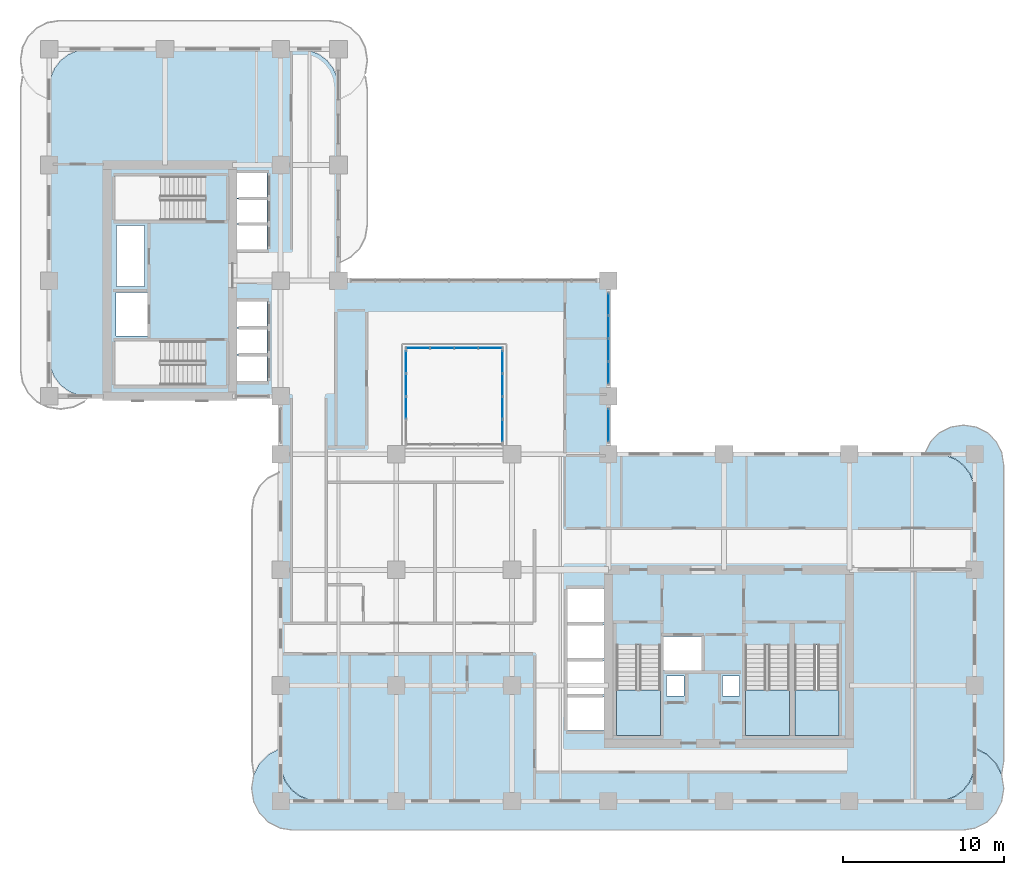
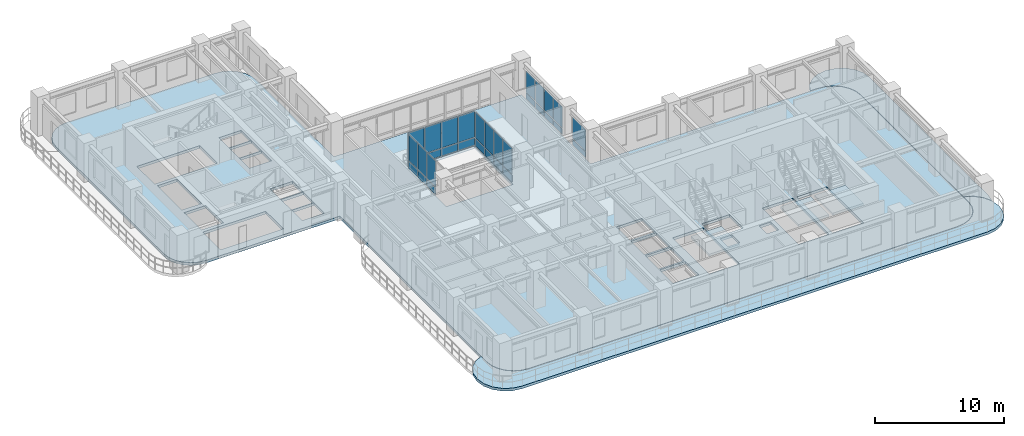
# One storey, part 7 of 19: 32 plates, 6 slabs, 8 elements without a shape of their own.
"""IFC4 building model written with IfcOpenShell, lengths in metres."""

from ifc_helpers import new_model, si_unit, derived_unit, direction, frame, origin, origin_2d, place, context, subcontext, project, spatial, polyline, rectangle, outline, extrude, source, transform, mapped, material, layer, layer_set, type_object, element, aggregate, save


model = new_model("IFC4")

# Units and contexts
model_context = context("Model", 3, precision=1e-05, world=origin(), true_north=direction((0.0, 1.0)))
body_context = subcontext(model_context, "Body", "Model", "MODEL_VIEW")
ifc_project = project(units=[si_unit("LENGTHUNIT", "METRE"), si_unit("AREAUNIT", "SQUARE_METRE"), si_unit("VOLUMEUNIT", "CUBIC_METRE"), si_unit("PLANEANGLEUNIT", "RADIAN"), si_unit("MASSUNIT", "GRAM", prefix="KILO"), si_unit("THERMODYNAMICTEMPERATUREUNIT", "KELVIN"), si_unit("POWERUNIT", "WATT"), derived_unit("THERMALTRANSMITTANCEUNIT", [(si_unit("POWERUNIT", "WATT"), 1), (si_unit("AREAUNIT", "SQUARE_METRE"), -1), (si_unit("THERMODYNAMICTEMPERATUREUNIT", "KELVIN"), -1)])], contexts=[model_context])

# Site, building, storey
site_placement = place(None, origin())
site = spatial("IfcSite", under=ifc_project, at=site_placement, CompositionType="ELEMENT")
building_placement = place(site_placement, origin())
building = spatial("IfcBuilding", under=site, at=building_placement, Name="Zahravan Archway Hotel and Residences", CompositionType="ELEMENT")
storey_placement = place(building_placement, frame((0.0, 0.0, 102.699951171875)))
storey = spatial("IfcBuildingStorey", under=building, at=storey_placement, Name="L25", CompositionType="ELEMENT", Elevation=102.699951171875)

# Slabs
ifc_material_1 = material(Name="Concrete C45/55", Category="concrete")
ifc_layer_1 = layer(ifc_material_1, 0.25, Name="Concrete C45/55", Category="concrete")
ifc_layer_set_1 = layer_set([ifc_layer_1], Name="Concrete C45/55")
slab_type_1 = type_object("IfcSlabType", Name="SLB-BALC-250", PredefinedType="FLOOR", material=ifc_layer_set_1)
slab_1_placement = place(storey_placement, frame((0.0, 0.0, -0.25)))
element("IfcSlab", 1, at=slab_1_placement, inside=storey, type_object=slab_type_1, Name="L25 Wing A South Rounded Balcony Band", PredefinedType="FLOOR", context=body_context, shape_type="SweptSolid", body=[
    extrude(outline(polyline([(57.637939453125, 3.275146484375), (58.348876953125, 2.9130859375), (58.9130859375, 2.348876953125), (59.275146484375, 1.637939453125), (59.39990234375, 0.85009765625), (59.39990234375, 0.75), (59.275146484375, -0.0380859375), (58.9130859375, -0.748779296875), (58.348876953125, -1.31298828125), (57.637939453125, -1.67529296875), (56.85009765625, -1.800048828125), (15.14990234375, -1.800048828125), (14.362060546875, -1.67529296875), (13.651123046875, -1.31298828125), (13.0869140625, -0.748779296875), (12.724853515625, -0.0380859375), (12.60009765625, 0.75), (12.60009765625, 0.85009765625), (12.724853515625, 1.637939453125), (13.0869140625, 2.348876953125), (13.651123046875, 2.9130859375), (14.362060546875, 3.275146484375), (14.3798828125, 3.278076171875), (14.3798828125, 2.39990234375), (14.380126953125, 2.3974609375), (14.4619140625, 1.776123046875), (14.46240234375, 1.7744140625), (14.462646484375, 1.772705078125), (14.46337890625, 1.77099609375), (14.702880859375, 1.1923828125), (14.703857421875, 1.19091796875), (14.70458984375, 1.189208984375), (14.70556640625, 1.187744140625), (15.0869140625, 0.690673828125), (15.088134765625, 0.689453125), (15.08935546875, 0.688232421875), (15.0908203125, 0.68701171875), (15.587890625, 0.3056640625), (15.58935546875, 0.3046875), (15.5908203125, 0.3037109375), (15.59228515625, 0.302978515625), (16.171142578125, 0.063232421875), (16.1728515625, 0.062744140625), (16.174560546875, 0.062255859375), (16.17626953125, 0.06201171875), (16.79736328125, -0.019775390625), (16.800048828125, -0.02001953125), (55.199951171875, -0.02001953125), (55.20263671875, -0.019775390625), (55.82373046875, 0.06201171875), (55.825439453125, 0.062255859375), (55.8271484375, 0.062744140625), (55.828857421875, 0.063232421875), (56.40771484375, 0.302978515625), (56.4091796875, 0.3037109375), (56.41064453125, 0.3046875), (56.412109375, 0.3056640625), (56.9091796875, 0.68701171875), (56.91064453125, 0.688232421875), (56.911865234375, 0.689453125), (56.9130859375, 0.690673828125), (57.29443359375, 1.187744140625), (57.29541015625, 1.189208984375), (57.296142578125, 1.19091796875), (57.297119140625, 1.1923828125), (57.53662109375, 1.77099609375), (57.537353515625, 1.772705078125), (57.53759765625, 1.7744140625), (57.5380859375, 1.776123046875), (57.619873046875, 2.3974609375), (57.6201171875, 2.39990234375), (57.6201171875, 3.278076171875), (57.637939453125, 3.275146484375)])), origin(), (0.0, 0.0, 1.0), 0.25),
])
slab_2_placement = place(storey_placement, frame((0.0, 0.0, -0.25)))
element("IfcSlab", 2, at=slab_2_placement, inside=storey, type_object=slab_type_1, Name="L25 Wing A East Rounded Balcony Band", PredefinedType="FLOOR", context=body_context, shape_type="SweptSolid", body=[
    extrude(outline(polyline([(54.52001953125, 21.70703125), (54.867919921875, 22.39013671875), (55.409912109375, 22.93212890625), (56.093017578125, 23.280029296875), (56.85009765625, 23.39990234375), (56.949951171875, 23.39990234375), (57.70703125, 23.280029296875), (58.39013671875, 22.93212890625), (58.93212890625, 22.39013671875), (59.280029296875, 21.70703125), (59.39990234375, 20.949951171875), (59.39990234375, 2.449951171875), (59.280029296875, 1.69287109375), (59.27490234375, 1.6826171875), (58.930908203125, 2.35791015625), (58.9296875, 2.35986328125), (58.928466796875, 2.361572265625), (58.927001953125, 2.363037109375), (58.363037109375, 2.927001953125), (58.361572265625, 2.928466796875), (58.35986328125, 2.9296875), (58.35791015625, 2.930908203125), (57.647216796875, 3.29296875), (57.645263671875, 3.2939453125), (57.643310546875, 3.29443359375), (57.64111328125, 3.294921875), (57.623046875, 3.2978515625), (57.62109375, 3.298095703125), (57.6201171875, 3.298095703125), (57.6201171875, 19.199951171875), (57.619873046875, 19.20263671875), (57.5380859375, 19.82373046875), (57.53759765625, 19.825439453125), (57.537353515625, 19.8271484375), (57.53662109375, 19.828857421875), (57.297119140625, 20.40771484375), (57.296142578125, 20.4091796875), (57.29541015625, 20.41064453125), (57.29443359375, 20.412109375), (56.9130859375, 20.9091796875), (56.911865234375, 20.91064453125), (56.91064453125, 20.911865234375), (56.9091796875, 20.9130859375), (56.412109375, 21.29443359375), (56.41064453125, 21.29541015625), (56.4091796875, 21.296142578125), (56.40771484375, 21.297119140625), (55.828857421875, 21.53662109375), (55.8271484375, 21.537353515625), (55.825439453125, 21.53759765625), (55.82373046875, 21.5380859375), (55.20263671875, 21.619873046875), (55.199951171875, 21.6201171875), (54.506103515625, 21.6201171875), (54.52001953125, 21.70703125)])), origin(), (0.0, 0.0, 1.0), 0.25),
])
ifc_layer_2 = layer(ifc_material_1, 0.25, Name="Concrete C45/55", Category="concrete")
ifc_layer_set_2 = layer_set([ifc_layer_2], Name="Concrete C45/55")
slab_type_2 = type_object("IfcSlabType", Name="SLB-FLR-250", PredefinedType="FLOOR", material=ifc_layer_set_2)
slab_3_placement = place(storey_placement, frame((0.0, 0.0, -0.25)))
element("IfcSlab", 3, at=slab_3_placement, inside=storey, type_object=slab_type_2, Name="L25 Floor Slab LB", PredefinedType="FLOOR", context=body_context, shape_type="SweptSolid", body=[
    extrude(outline(polyline([(34.800048828125, 21.60009765625), (34.800048828125, 32.39990234375), (18.0, 32.39990234375), (18.0, 44.39990234375), (17.918212890625, 45.021240234375), (17.678466796875, 45.60009765625), (17.297119140625, 46.09716796875), (16.800048828125, 46.478515625), (16.22119140625, 46.71826171875), (15.60009765625, 46.800048828125), (2.39990234375, 46.800048828125), (1.77880859375, 46.71826171875), (1.199951171875, 46.478515625), (0.702880859375, 46.09716796875), (0.321533203125, 45.60009765625), (0.081787109375, 45.021240234375), (0.0, 44.39990234375), (0.0, 27.60009765625), (0.081787109375, 26.978759765625), (0.321533203125, 26.39990234375), (0.702880859375, 25.90283203125), (1.199951171875, 25.521484375), (1.77880859375, 25.28173828125), (2.39990234375, 25.199951171875), (14.39990234375, 25.199951171875), (14.39990234375, 19.199951171875), (14.39990234375, 19.10009765625), (14.39990234375, 2.39990234375), (14.481689453125, 1.77880859375), (14.721435546875, 1.199951171875), (15.102783203125, 0.702880859375), (15.60009765625, 0.321533203125), (16.1787109375, 0.081787109375), (16.800048828125, 0.0), (55.199951171875, 0.0), (55.8212890625, 0.081787109375), (56.39990234375, 0.321533203125), (56.897216796875, 0.702880859375), (57.278564453125, 1.199951171875), (57.518310546875, 1.77880859375), (57.60009765625, 2.39990234375), (57.60009765625, 19.199951171875), (57.518310546875, 19.8212890625), (57.278564453125, 20.39990234375), (56.897216796875, 20.897216796875), (56.39990234375, 21.278564453125), (55.8212890625, 21.518310546875), (55.199951171875, 21.60009765625), (34.800048828125, 21.60009765625)]), holes=[polyline([(35.300048828125, 9.72998046875), (35.300048828125, 4.10009765625), (38.0400390625, 4.10009765625), (38.0400390625, 9.72998046875), (35.300048828125, 9.72998046875)]), polyline([(43.320068359375, 9.72998046875), (43.320068359375, 4.10009765625), (46.06005859375, 4.10009765625), (46.06005859375, 9.72998046875), (43.320068359375, 9.72998046875)]), polyline([(46.39990234375, 9.72998046875), (46.39990234375, 4.10009765625), (49.139892578125, 4.10009765625), (49.139892578125, 9.72998046875), (46.39990234375, 9.72998046875)]), polyline([(9.72998046875, 28.639892578125), (4.10009765625, 28.639892578125), (4.10009765625, 25.89990234375), (9.72998046875, 25.89990234375), (9.72998046875, 28.639892578125)]), polyline([(9.72998046875, 38.89990234375), (4.10009765625, 38.89990234375), (4.10009765625, 36.159912109375), (9.72998046875, 36.159912109375), (9.72998046875, 38.89990234375)]), polyline([(38.179931640625, 8.14990234375), (40.699951171875, 8.14990234375), (40.699951171875, 10.25), (38.179931640625, 10.25), (38.179931640625, 8.14990234375)]), polyline([(4.14990234375, 28.949951171875), (6.10009765625, 28.949951171875), (6.10009765625, 31.64990234375), (4.14990234375, 31.64990234375), (4.14990234375, 28.949951171875)]), polyline([(11.550048828125, 26.14990234375), (13.550048828125, 26.14990234375), (13.550048828125, 27.75), (11.550048828125, 27.75), (11.550048828125, 26.14990234375)]), polyline([(11.550048828125, 27.830078125), (13.550048828125, 27.830078125), (13.550048828125, 29.429931640625), (11.550048828125, 29.429931640625), (11.550048828125, 27.830078125)]), polyline([(11.550048828125, 29.510009765625), (13.550048828125, 29.510009765625), (13.550048828125, 31.110107421875), (11.550048828125, 31.110107421875), (11.550048828125, 29.510009765625)]), polyline([(11.550048828125, 34.35009765625), (13.550048828125, 34.35009765625), (13.550048828125, 35.889892578125), (11.550048828125, 35.889892578125), (11.550048828125, 34.35009765625)]), polyline([(11.550048828125, 35.949951171875), (13.550048828125, 35.949951171875), (13.550048828125, 37.489990234375), (11.550048828125, 37.489990234375), (11.550048828125, 35.949951171875)]), polyline([(11.550048828125, 37.550048828125), (13.550048828125, 37.550048828125), (13.550048828125, 39.090087890625), (11.550048828125, 39.090087890625), (11.550048828125, 37.550048828125)]), polyline([(32.25, 4.39990234375), (34.550048828125, 4.39990234375), (34.550048828125, 6.47998046875), (32.25, 6.47998046875), (32.25, 4.39990234375)]), polyline([(32.25, 6.639892578125), (34.550048828125, 6.639892578125), (34.550048828125, 8.719970703125), (32.25, 8.719970703125), (32.25, 6.639892578125)]), polyline([(32.25, 8.8798828125), (34.550048828125, 8.8798828125), (34.550048828125, 10.9599609375), (32.25, 10.9599609375), (32.25, 8.8798828125)]), polyline([(32.25, 11.1201171875), (34.550048828125, 11.1201171875), (34.550048828125, 13.199951171875), (32.25, 13.199951171875), (32.25, 11.1201171875)]), polyline([(22.199951171875, 22.199951171875), (28.199951171875, 22.199951171875), (28.199951171875, 28.199951171875), (22.199951171875, 28.199951171875), (22.199951171875, 22.199951171875)]), polyline([(38.419921875, 6.56005859375), (39.5, 6.56005859375), (39.5, 7.780029296875), (38.419921875, 7.780029296875), (38.419921875, 6.56005859375)]), polyline([(41.89990234375, 6.56005859375), (42.9599609375, 6.56005859375), (42.9599609375, 7.780029296875), (41.89990234375, 7.780029296875), (41.89990234375, 6.56005859375)]), polyline([(4.179931640625, 32.050048828125), (5.93994140625, 32.050048828125), (5.93994140625, 35.840087890625), (4.179931640625, 35.840087890625), (4.179931640625, 32.050048828125)])]), origin(), (0.0, 0.0, 1.0), 0.25),
])

# Stair, slab
ifc_material_2 = material(Name="Concrete C50/60", Category="concrete")
stair_type = type_object("IfcStairType", Name="STR-CORE-1300", PredefinedType="HALF_TURN_STAIR", material=ifc_material_2)
stair_1_placement = place(storey_placement, origin())
stair_1 = element("IfcStair", 4, at=stair_1_placement, inside=storey, type_object=stair_type, Name="L25 Core A Exit Stair 1", PredefinedType="HALF_TURN_STAIR")
ifc_layer_3 = layer(ifc_material_2, 0.199951171875, Name="Concrete C50/60", Category="concrete")
ifc_layer_set_3 = layer_set([ifc_layer_3], Name="Concrete C50/60")
slab_type_3 = type_object("IfcSlabType", Name="SLB-LND-200", PredefinedType="LANDING", material=ifc_layer_set_3)
slab_4_placement = place(storey_placement, frame((0.0, 0.0, 1.650146484375)))
slab_4 = element("IfcSlab", 5, at=slab_4_placement, type_object=slab_type_3, Name="ST-A1 landing 1", PredefinedType="LANDING", context=body_context, shape_type="SweptSolid", body=[
    extrude(outline(polyline([(35.300048828125, 6.929931640625), (35.300048828125, 4.10009765625), (38.0400390625, 4.10009765625), (38.0400390625, 6.929931640625), (35.300048828125, 6.929931640625)])), origin(), (0.0, 0.0, 1.0), 0.199951171875),
])
aggregate(stair_1, [slab_4])

stair_2_placement = place(storey_placement, origin())
stair_2 = element("IfcStair", 6, at=stair_2_placement, inside=storey, type_object=stair_type, Name="L25 Core A Exit Stair 2", PredefinedType="HALF_TURN_STAIR")
slab_5_placement = place(storey_placement, frame((0.0, 0.0, 1.650146484375)))
slab_5 = element("IfcSlab", 7, at=slab_5_placement, type_object=slab_type_3, Name="ST-A2 landing 1", PredefinedType="LANDING", context=body_context, shape_type="SweptSolid", body=[
    extrude(outline(polyline([(43.320068359375, 6.929931640625), (43.320068359375, 4.10009765625), (46.06005859375, 4.10009765625), (46.06005859375, 6.929931640625), (43.320068359375, 6.929931640625)])), origin(), (0.0, 0.0, 1.0), 0.199951171875),
])
aggregate(stair_2, [slab_5])

stair_3_placement = place(storey_placement, origin())
stair_3 = element("IfcStair", 8, at=stair_3_placement, inside=storey, type_object=stair_type, Name="L25 Core A Exit Stair 3", PredefinedType="HALF_TURN_STAIR")
slab_6_placement = place(storey_placement, frame((0.0, 0.0, 1.650146484375)))
slab_6 = element("IfcSlab", 9, at=slab_6_placement, type_object=slab_type_3, Name="ST-A3 landing 1", PredefinedType="LANDING", context=body_context, shape_type="SweptSolid", body=[
    extrude(outline(polyline([(46.39990234375, 6.929931640625), (46.39990234375, 4.10009765625), (49.139892578125, 4.10009765625), (49.139892578125, 6.929931640625), (46.39990234375, 6.929931640625)])), origin(), (0.0, 0.0, 1.0), 0.199951171875),
])
aggregate(stair_3, [slab_6])

# Curtain wall, plates
ifc_material_3 = material(Name="Bronze-Anodized Unitised Aluminium & Low-E Glass", Category="aluminium")
ifc_layer_4 = layer(ifc_material_3, 0.179931640625, Name="Bronze-Anodized Unitised Aluminium & Low-E Glass", Category="aluminium")
ifc_layer_set_4 = layer_set([ifc_layer_4], Name="Bronze-Anodized Unitised Aluminium & Low-E Glass")
curtain_wall_type = type_object("IfcCurtainWallType", Name="CW-ATR-GLAZ", PredefinedType="NOTDEFINED", material=ifc_layer_set_4)
curtain_wall_1_placement = place(storey_placement, origin())
curtain_wall_1 = element("IfcCurtainWall", 10, at=curtain_wall_1_placement, inside=storey, type_object=curtain_wall_type, Name="L25 Curtain Wall CW-L25-HNG-E-1", PredefinedType="NOTDEFINED")
ifc_material_4 = material(Name="Insulated Terracotta Spandrel Panel", Category="masonry")
ifc_layer_5 = layer(ifc_material_4, 0.0400390625, Name="Insulated Terracotta Spandrel Panel", Category="masonry")
ifc_layer_set_5 = layer_set([ifc_layer_5], Name="Insulated Terracotta Spandrel Panel")
plate_type_1 = type_object("IfcPlateType", Name="CWP-SPN-40", PredefinedType="SHEET", material=ifc_layer_set_5)
shared_shape_1 = source(origin(), body_context, "Body", "SweptSolid", [
    extrude(rectangle(XDim=2.0, YDim=0.0400390625, at=origin_2d()), origin(), (0.0, 0.0, 1.0), 0.540283203125),
])
plate_1_placement = place(storey_placement, frame((34.800048828125, 23.39990234375, 0.10009765625), z_axis=(0.0, 0.0, 1.0), x_axis=(0.0, 1.0, 0.0)))
plate_1 = element("IfcPlate", 11, at=plate_1_placement, type_object=plate_type_1, Name="CW-L25-HNG-E-1 Spandrel Panel 0", PredefinedType="SHEET", context=body_context, shape_type="MappedRepresentation", body=[
    mapped(shared_shape_1, transform((0.0, 0.0, 0.0), scale=1.0)),
])
ifc_material_5 = material(Name="Double-Silver Low-E Insulated Vision Glass", Category="glass")
ifc_layer_6 = layer(ifc_material_5, 0.028076171875, Name="Double-Silver Low-E Insulated Vision Glass", Category="glass")
ifc_layer_set_6 = layer_set([ifc_layer_6], Name="Double-Silver Low-E Insulated Vision Glass")
plate_type_2 = type_object("IfcPlateType", Name="CWP-GLZ-28", PredefinedType="CURTAIN_PANEL", material=ifc_layer_set_6)
shared_shape_2 = source(origin(), body_context, "Body", "SweptSolid", [
    extrude(rectangle(XDim=2.0, YDim=0.028076171875, at=origin_2d()), origin(), (0.0, 0.0, 1.0), 2.0146484375),
])
plate_2_placement = place(storey_placement, frame((34.800048828125, 23.39990234375, 0.720458984375), z_axis=(0.0, 0.0, 1.0), x_axis=(0.0, 1.0, 0.0)))
plate_2 = element("IfcPlate", 12, at=plate_2_placement, type_object=plate_type_2, Name="CW-L25-HNG-E-1 Low-E Vision Panel 0", PredefinedType="CURTAIN_PANEL", context=body_context, shape_type="MappedRepresentation", body=[
    mapped(shared_shape_2, transform((0.0, 0.0, 0.0), scale=1.0)),
])
aggregate(curtain_wall_1, [plate_1, plate_2])

curtain_wall_2_placement = place(storey_placement, origin())
curtain_wall_2 = element("IfcCurtainWall", 13, at=curtain_wall_2_placement, inside=storey, type_object=curtain_wall_type, Name="L25 Curtain Wall CW-L25-HNG-E-2", PredefinedType="NOTDEFINED")
shared_shape_3 = source(origin(), body_context, "Body", "SweptSolid", [
    extrude(rectangle(XDim=1.340087890625, YDim=0.0400390625, at=origin_2d()), origin(), (0.0, 0.0, 1.0), 0.540283203125),
])
plate_3_placement = place(storey_placement, frame((34.800048828125, 26.669921875, 0.10009765625), z_axis=(0.0, 0.0, 1.0), x_axis=(0.0, 1.0, 0.0)))
plate_3 = element("IfcPlate", 14, at=plate_3_placement, type_object=plate_type_1, Name="CW-L25-HNG-E-2 Spandrel Panel 0", PredefinedType="SHEET", context=body_context, shape_type="MappedRepresentation", body=[
    mapped(shared_shape_3, transform((0.0, 0.0, 0.0), scale=1.0)),
])
plate_4_placement = place(storey_placement, frame((34.800048828125, 28.090087890625, 0.10009765625), z_axis=(0.0, 0.0, 1.0), x_axis=(0.0, 1.0, 0.0)))
plate_4 = element("IfcPlate", 15, at=plate_4_placement, type_object=plate_type_1, Name="CW-L25-HNG-E-2 Spandrel Panel 1", PredefinedType="SHEET", context=body_context, shape_type="MappedRepresentation", body=[
    mapped(shared_shape_3, transform((0.0, 0.0, 0.0), scale=1.0)),
])
plate_5_placement = place(storey_placement, frame((34.800048828125, 29.510009765625, 0.10009765625), z_axis=(0.0, 0.0, 1.0), x_axis=(0.0, 1.0, 0.0)))
plate_5 = element("IfcPlate", 16, at=plate_5_placement, type_object=plate_type_1, Name="CW-L25-HNG-E-2 Spandrel Panel 2", PredefinedType="SHEET", context=body_context, shape_type="MappedRepresentation", body=[
    mapped(shared_shape_3, transform((0.0, 0.0, 0.0), scale=1.0)),
])
plate_6_placement = place(storey_placement, frame((34.800048828125, 30.929931640625, 0.10009765625), z_axis=(0.0, 0.0, 1.0), x_axis=(0.0, 1.0, 0.0)))
plate_6 = element("IfcPlate", 17, at=plate_6_placement, type_object=plate_type_1, Name="CW-L25-HNG-E-2 Spandrel Panel 3", PredefinedType="SHEET", context=body_context, shape_type="MappedRepresentation", body=[
    mapped(shared_shape_3, transform((0.0, 0.0, 0.0), scale=1.0)),
])
shared_shape_4 = source(origin(), body_context, "Body", "SweptSolid", [
    extrude(rectangle(XDim=1.340087890625, YDim=0.028076171875, at=origin_2d()), origin(), (0.0, 0.0, 1.0), 2.0146484375),
])
plate_7_placement = place(storey_placement, frame((34.800048828125, 26.669921875, 0.720458984375), z_axis=(0.0, 0.0, 1.0), x_axis=(0.0, 1.0, 0.0)))
plate_7 = element("IfcPlate", 18, at=plate_7_placement, type_object=plate_type_2, Name="CW-L25-HNG-E-2 Low-E Vision Panel 0", PredefinedType="CURTAIN_PANEL", context=body_context, shape_type="MappedRepresentation", body=[
    mapped(shared_shape_4, transform((0.0, 0.0, 0.0), scale=1.0)),
])
plate_8_placement = place(storey_placement, frame((34.800048828125, 28.090087890625, 0.720458984375), z_axis=(0.0, 0.0, 1.0), x_axis=(0.0, 1.0, 0.0)))
plate_8 = element("IfcPlate", 19, at=plate_8_placement, type_object=plate_type_2, Name="CW-L25-HNG-E-2 Low-E Vision Panel 1", PredefinedType="CURTAIN_PANEL", context=body_context, shape_type="MappedRepresentation", body=[
    mapped(shared_shape_4, transform((0.0, 0.0, 0.0), scale=1.0)),
])
plate_9_placement = place(storey_placement, frame((34.800048828125, 29.510009765625, 0.720458984375), z_axis=(0.0, 0.0, 1.0), x_axis=(0.0, 1.0, 0.0)))
plate_9 = element("IfcPlate", 20, at=plate_9_placement, type_object=plate_type_2, Name="CW-L25-HNG-E-2 Low-E Vision Panel 2", PredefinedType="CURTAIN_PANEL", context=body_context, shape_type="MappedRepresentation", body=[
    mapped(shared_shape_4, transform((0.0, 0.0, 0.0), scale=1.0)),
])
plate_10_placement = place(storey_placement, frame((34.800048828125, 30.929931640625, 0.720458984375), z_axis=(0.0, 0.0, 1.0), x_axis=(0.0, 1.0, 0.0)))
plate_10 = element("IfcPlate", 21, at=plate_10_placement, type_object=plate_type_2, Name="CW-L25-HNG-E-2 Low-E Vision Panel 3", PredefinedType="CURTAIN_PANEL", context=body_context, shape_type="MappedRepresentation", body=[
    mapped(shared_shape_4, transform((0.0, 0.0, 0.0), scale=1.0)),
])
aggregate(curtain_wall_2, [plate_3, plate_7, plate_4, plate_8, plate_5, plate_9, plate_6, plate_10])

curtain_wall_3_placement = place(storey_placement, origin())
curtain_wall_3 = element("IfcCurtainWall", 22, at=curtain_wall_3_placement, inside=storey, type_object=curtain_wall_type, Name="L25 Curtain Wall CW-ATR-L25-N-1", PredefinedType="NOTDEFINED")
shared_shape_5 = source(origin(), body_context, "Body", "SweptSolid", [
    extrude(rectangle(XDim=1.419921875, YDim=0.0400390625, at=origin_2d()), origin(), (0.0, 0.0, 1.0), 0.676025390625),
])
plate_11_placement = place(storey_placement, frame((22.949951171875, 28.199951171875, 0.10009765625), z_axis=(0.0, 0.0, 1.0), x_axis=(1.0, 0.0, 0.0)))
plate_11 = element("IfcPlate", 23, at=plate_11_placement, type_object=plate_type_1, Name="CW-ATR-L25-N-1 Spandrel Panel 0", PredefinedType="SHEET", context=body_context, shape_type="MappedRepresentation", body=[
    mapped(shared_shape_5, transform((0.0, 0.0, 0.0), scale=1.0)),
])
plate_12_placement = place(storey_placement, frame((24.449951171875, 28.199951171875, 0.10009765625), z_axis=(0.0, 0.0, 1.0), x_axis=(1.0, 0.0, 0.0)))
plate_12 = element("IfcPlate", 24, at=plate_12_placement, type_object=plate_type_1, Name="CW-ATR-L25-N-1 Spandrel Panel 1", PredefinedType="SHEET", context=body_context, shape_type="MappedRepresentation", body=[
    mapped(shared_shape_5, transform((0.0, 0.0, 0.0), scale=1.0)),
])
plate_13_placement = place(storey_placement, frame((25.949951171875, 28.199951171875, 0.10009765625), z_axis=(0.0, 0.0, 1.0), x_axis=(1.0, 0.0, 0.0)))
plate_13 = element("IfcPlate", 25, at=plate_13_placement, type_object=plate_type_1, Name="CW-ATR-L25-N-1 Spandrel Panel 2", PredefinedType="SHEET", context=body_context, shape_type="MappedRepresentation", body=[
    mapped(shared_shape_5, transform((0.0, 0.0, 0.0), scale=1.0)),
])
plate_14_placement = place(storey_placement, frame((27.449951171875, 28.199951171875, 0.10009765625), z_axis=(0.0, 0.0, 1.0), x_axis=(1.0, 0.0, 0.0)))
plate_14 = element("IfcPlate", 26, at=plate_14_placement, type_object=plate_type_1, Name="CW-ATR-L25-N-1 Spandrel Panel 3", PredefinedType="SHEET", context=body_context, shape_type="MappedRepresentation", body=[
    mapped(shared_shape_5, transform((0.0, 0.0, 0.0), scale=1.0)),
])
shared_shape_6 = source(origin(), body_context, "Body", "SweptSolid", [
    extrude(rectangle(XDim=1.419921875, YDim=0.028076171875, at=origin_2d()), origin(), (0.0, 0.0, 1.0), 2.444091796875),
])
plate_15_placement = place(storey_placement, frame((22.949951171875, 28.199951171875, 0.85595703125), z_axis=(0.0, 0.0, 1.0), x_axis=(1.0, 0.0, 0.0)))
plate_15 = element("IfcPlate", 27, at=plate_15_placement, type_object=plate_type_2, Name="CW-ATR-L25-N-1 Low-E Vision Panel 0", PredefinedType="CURTAIN_PANEL", context=body_context, shape_type="MappedRepresentation", body=[
    mapped(shared_shape_6, transform((0.0, 0.0, 0.0), scale=1.0)),
])
plate_16_placement = place(storey_placement, frame((24.449951171875, 28.199951171875, 0.85595703125), z_axis=(0.0, 0.0, 1.0), x_axis=(1.0, 0.0, 0.0)))
plate_16 = element("IfcPlate", 28, at=plate_16_placement, type_object=plate_type_2, Name="CW-ATR-L25-N-1 Low-E Vision Panel 1", PredefinedType="CURTAIN_PANEL", context=body_context, shape_type="MappedRepresentation", body=[
    mapped(shared_shape_6, transform((0.0, 0.0, 0.0), scale=1.0)),
])
plate_17_placement = place(storey_placement, frame((25.949951171875, 28.199951171875, 0.85595703125), z_axis=(0.0, 0.0, 1.0), x_axis=(1.0, 0.0, 0.0)))
plate_17 = element("IfcPlate", 29, at=plate_17_placement, type_object=plate_type_2, Name="CW-ATR-L25-N-1 Low-E Vision Panel 2", PredefinedType="CURTAIN_PANEL", context=body_context, shape_type="MappedRepresentation", body=[
    mapped(shared_shape_6, transform((0.0, 0.0, 0.0), scale=1.0)),
])
plate_18_placement = place(storey_placement, frame((27.449951171875, 28.199951171875, 0.85595703125), z_axis=(0.0, 0.0, 1.0), x_axis=(1.0, 0.0, 0.0)))
plate_18 = element("IfcPlate", 30, at=plate_18_placement, type_object=plate_type_2, Name="CW-ATR-L25-N-1 Low-E Vision Panel 3", PredefinedType="CURTAIN_PANEL", context=body_context, shape_type="MappedRepresentation", body=[
    mapped(shared_shape_6, transform((0.0, 0.0, 0.0), scale=1.0)),
])
aggregate(curtain_wall_3, [plate_11, plate_15, plate_12, plate_16, plate_13, plate_17, plate_14, plate_18])

curtain_wall_4_placement = place(storey_placement, origin())
curtain_wall_4 = element("IfcCurtainWall", 31, at=curtain_wall_4_placement, inside=storey, type_object=curtain_wall_type, Name="L25 Curtain Wall CW-ATR-L25-W-1", PredefinedType="NOTDEFINED")
shared_shape_7 = source(origin(), body_context, "Body", "SweptSolid", [
    extrude(rectangle(XDim=1.344970703125, YDim=0.0400390625, at=origin_2d()), origin(), (0.0, 0.0, 1.0), 0.676025390625),
])
plate_19_placement = place(storey_placement, frame((22.199951171875, 24.487548828125, 0.10009765625), z_axis=(0.0, 0.0, 1.0), x_axis=(0.0, 1.0, 0.0)))
plate_19 = element("IfcPlate", 32, at=plate_19_placement, type_object=plate_type_1, Name="CW-ATR-L25-W-1 Spandrel Panel 1", PredefinedType="SHEET", context=body_context, shape_type="MappedRepresentation", body=[
    mapped(shared_shape_7, transform((0.0, 0.0, 0.0), scale=1.0)),
])
plate_20_placement = place(storey_placement, frame((22.199951171875, 25.91259765625, 0.10009765625), z_axis=(0.0, 0.0, 1.0), x_axis=(0.0, 1.0, 0.0)))
plate_20 = element("IfcPlate", 33, at=plate_20_placement, type_object=plate_type_1, Name="CW-ATR-L25-W-1 Spandrel Panel 2", PredefinedType="SHEET", context=body_context, shape_type="MappedRepresentation", body=[
    mapped(shared_shape_7, transform((0.0, 0.0, 0.0), scale=1.0)),
])
plate_21_placement = place(storey_placement, frame((22.199951171875, 27.33740234375, 0.10009765625), z_axis=(0.0, 0.0, 1.0), x_axis=(0.0, 1.0, 0.0)))
plate_21 = element("IfcPlate", 34, at=plate_21_placement, type_object=plate_type_1, Name="CW-ATR-L25-W-1 Spandrel Panel 3", PredefinedType="SHEET", context=body_context, shape_type="MappedRepresentation", body=[
    mapped(shared_shape_7, transform((0.0, 0.0, 0.0), scale=1.0)),
])

curtain_wall_5_placement = place(storey_placement, origin())
curtain_wall_5 = element("IfcCurtainWall", 35, at=curtain_wall_5_placement, inside=storey, type_object=curtain_wall_type, Name="L25 Curtain Wall CW-ATR-L25-E-1", PredefinedType="NOTDEFINED")
plate_22_placement = place(storey_placement, frame((28.199951171875, 23.0625, 0.10009765625), z_axis=(0.0, 0.0, 1.0), x_axis=(0.0, 1.0, 0.0)))
plate_22 = element("IfcPlate", 36, at=plate_22_placement, type_object=plate_type_1, Name="CW-ATR-L25-E-1 Spandrel Panel 0", PredefinedType="SHEET", context=body_context, shape_type="MappedRepresentation", body=[
    mapped(shared_shape_7, transform((0.0, 0.0, 0.0), scale=1.0)),
])
plate_23_placement = place(storey_placement, frame((28.199951171875, 24.487548828125, 0.10009765625), z_axis=(0.0, 0.0, 1.0), x_axis=(0.0, 1.0, 0.0)))
plate_23 = element("IfcPlate", 37, at=plate_23_placement, type_object=plate_type_1, Name="CW-ATR-L25-E-1 Spandrel Panel 1", PredefinedType="SHEET", context=body_context, shape_type="MappedRepresentation", body=[
    mapped(shared_shape_7, transform((0.0, 0.0, 0.0), scale=1.0)),
])
plate_24_placement = place(storey_placement, frame((28.199951171875, 25.91259765625, 0.10009765625), z_axis=(0.0, 0.0, 1.0), x_axis=(0.0, 1.0, 0.0)))
plate_24 = element("IfcPlate", 38, at=plate_24_placement, type_object=plate_type_1, Name="CW-ATR-L25-E-1 Spandrel Panel 2", PredefinedType="SHEET", context=body_context, shape_type="MappedRepresentation", body=[
    mapped(shared_shape_7, transform((0.0, 0.0, 0.0), scale=1.0)),
])
plate_25_placement = place(storey_placement, frame((28.199951171875, 27.33740234375, 0.10009765625), z_axis=(0.0, 0.0, 1.0), x_axis=(0.0, 1.0, 0.0)))
plate_25 = element("IfcPlate", 39, at=plate_25_placement, type_object=plate_type_1, Name="CW-ATR-L25-E-1 Spandrel Panel 3", PredefinedType="SHEET", context=body_context, shape_type="MappedRepresentation", body=[
    mapped(shared_shape_7, transform((0.0, 0.0, 0.0), scale=1.0)),
])

# Plate
shared_shape_8 = source(origin(), body_context, "Body", "SweptSolid", [
    extrude(rectangle(XDim=1.344970703125, YDim=0.028076171875, at=origin_2d()), origin(), (0.0, 0.0, 1.0), 2.444091796875),
])
plate_26_placement = place(storey_placement, frame((22.199951171875, 24.487548828125, 0.85595703125), z_axis=(0.0, 0.0, 1.0), x_axis=(0.0, 1.0, 0.0)))
plate_26 = element("IfcPlate", 40, at=plate_26_placement, type_object=plate_type_2, Name="CW-ATR-L25-W-1 Low-E Vision Panel 1", PredefinedType="CURTAIN_PANEL", context=body_context, shape_type="MappedRepresentation", body=[
    mapped(shared_shape_8, transform((0.0, 0.0, 0.0), scale=1.0)),
])

plate_27_placement = place(storey_placement, frame((22.199951171875, 25.91259765625, 0.85595703125), z_axis=(0.0, 0.0, 1.0), x_axis=(0.0, 1.0, 0.0)))
plate_27 = element("IfcPlate", 41, at=plate_27_placement, type_object=plate_type_2, Name="CW-ATR-L25-W-1 Low-E Vision Panel 2", PredefinedType="CURTAIN_PANEL", context=body_context, shape_type="MappedRepresentation", body=[
    mapped(shared_shape_8, transform((0.0, 0.0, 0.0), scale=1.0)),
])

plate_28_placement = place(storey_placement, frame((22.199951171875, 27.33740234375, 0.85595703125), z_axis=(0.0, 0.0, 1.0), x_axis=(0.0, 1.0, 0.0)))
plate_28 = element("IfcPlate", 42, at=plate_28_placement, type_object=plate_type_2, Name="CW-ATR-L25-W-1 Low-E Vision Panel 3", PredefinedType="CURTAIN_PANEL", context=body_context, shape_type="MappedRepresentation", body=[
    mapped(shared_shape_8, transform((0.0, 0.0, 0.0), scale=1.0)),
])

aggregate(curtain_wall_4, [plate_19, plate_26, plate_20, plate_27, plate_21, plate_28])

plate_29_placement = place(storey_placement, frame((28.199951171875, 23.0625, 0.85595703125), z_axis=(0.0, 0.0, 1.0), x_axis=(0.0, 1.0, 0.0)))
plate_29 = element("IfcPlate", 43, at=plate_29_placement, type_object=plate_type_2, Name="CW-ATR-L25-E-1 Low-E Vision Panel 0", PredefinedType="CURTAIN_PANEL", context=body_context, shape_type="MappedRepresentation", body=[
    mapped(shared_shape_8, transform((0.0, 0.0, 0.0), scale=1.0)),
])

plate_30_placement = place(storey_placement, frame((28.199951171875, 24.487548828125, 0.85595703125), z_axis=(0.0, 0.0, 1.0), x_axis=(0.0, 1.0, 0.0)))
plate_30 = element("IfcPlate", 44, at=plate_30_placement, type_object=plate_type_2, Name="CW-ATR-L25-E-1 Low-E Vision Panel 1", PredefinedType="CURTAIN_PANEL", context=body_context, shape_type="MappedRepresentation", body=[
    mapped(shared_shape_8, transform((0.0, 0.0, 0.0), scale=1.0)),
])

plate_31_placement = place(storey_placement, frame((28.199951171875, 25.91259765625, 0.85595703125), z_axis=(0.0, 0.0, 1.0), x_axis=(0.0, 1.0, 0.0)))
plate_31 = element("IfcPlate", 45, at=plate_31_placement, type_object=plate_type_2, Name="CW-ATR-L25-E-1 Low-E Vision Panel 2", PredefinedType="CURTAIN_PANEL", context=body_context, shape_type="MappedRepresentation", body=[
    mapped(shared_shape_8, transform((0.0, 0.0, 0.0), scale=1.0)),
])

plate_32_placement = place(storey_placement, frame((28.199951171875, 27.33740234375, 0.85595703125), z_axis=(0.0, 0.0, 1.0), x_axis=(0.0, 1.0, 0.0)))
plate_32 = element("IfcPlate", 46, at=plate_32_placement, type_object=plate_type_2, Name="CW-ATR-L25-E-1 Low-E Vision Panel 3", PredefinedType="CURTAIN_PANEL", context=body_context, shape_type="MappedRepresentation", body=[
    mapped(shared_shape_8, transform((0.0, 0.0, 0.0), scale=1.0)),
])

aggregate(curtain_wall_5, [plate_22, plate_29, plate_23, plate_30, plate_24, plate_31, plate_25, plate_32])

save(model, "model.ifc")
